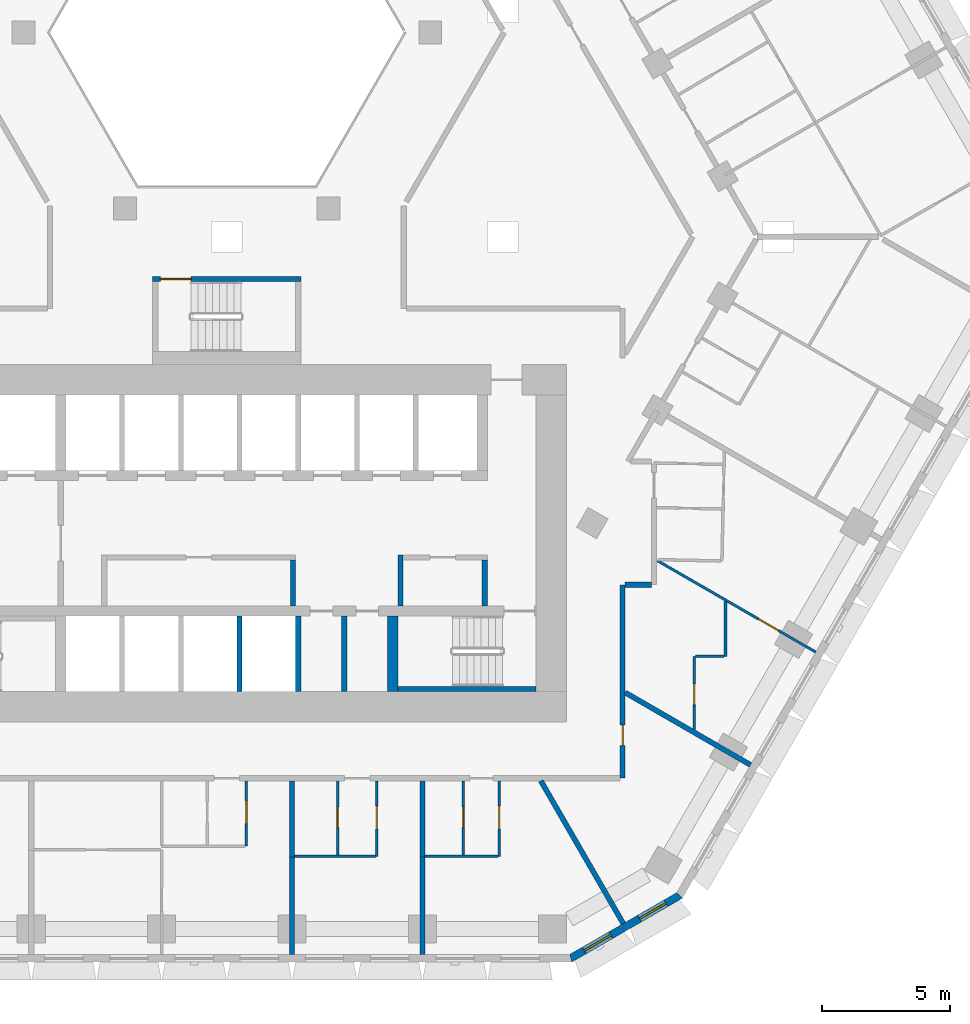
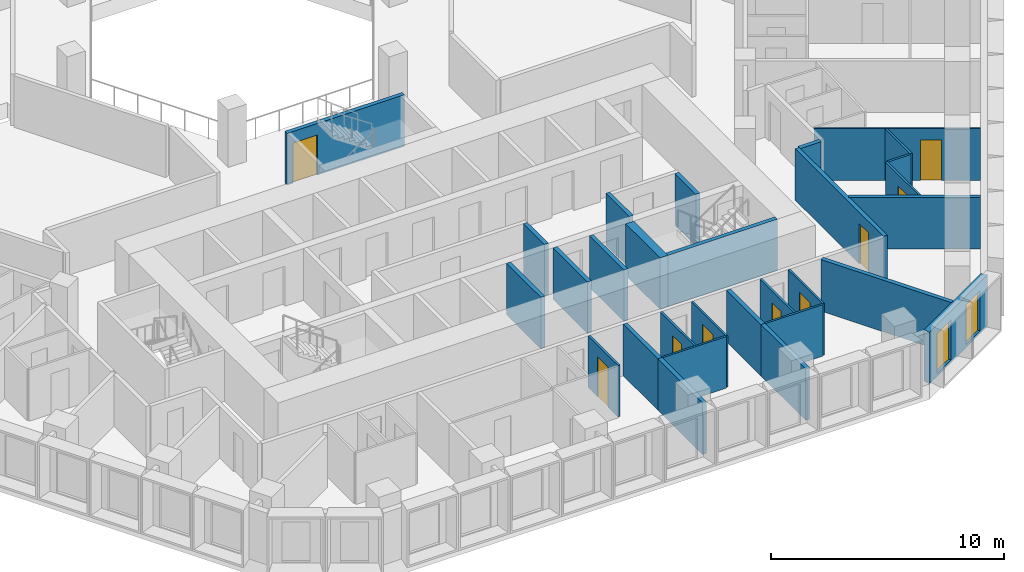
# One storey, part 6 of 21: 29 walls, 9 doors, 2 windows, 11 openings.
"""IFC4 building model written with IfcOpenShell, lengths in metres."""

from ifc_helpers import new_model, si_unit, direction, frame, frame_2d, origin, place, context, subcontext, project, spatial, polyline, rectangle, outline, extrude, material, layer, layer_set, type_object, element, fill, save


model = new_model("IFC4")

# Units and contexts
model_context = context("Model", 3, precision=1e-05, world=origin(), true_north=direction((0.0, 1.0)))
body_context = subcontext(model_context, "Body", "Model", "MODEL_VIEW")
ifc_project = project(units=[si_unit("LENGTHUNIT", "METRE"), si_unit("AREAUNIT", "SQUARE_METRE"), si_unit("VOLUMEUNIT", "CUBIC_METRE"), si_unit("PLANEANGLEUNIT", "RADIAN"), si_unit("MASSUNIT", "GRAM", prefix="KILO")], contexts=[model_context])

# Site, building, storey
site_placement = place(None, origin())
site = spatial("IfcSite", under=ifc_project, at=site_placement, CompositionType="ELEMENT")
building_placement = place(site_placement, origin())
building = spatial("IfcBuilding", under=site, at=building_placement, Name="Beryl Residences", CompositionType="ELEMENT")
storey_placement = place(building_placement, frame((0.0, 0.0, 23.39990234375)))
storey = spatial("IfcBuildingStorey", under=building, at=storey_placement, Name="L06", CompositionType="ELEMENT", Elevation=23.39990234375)

# Wall, openings, windows
ifc_material_1 = material(Name="Composite metal panel with mineral wool insulation")
ifc_layer_1 = layer(ifc_material_1, 0.300048828125)
ifc_layer_set_1 = layer_set([ifc_layer_1], Name="ES1 pale metal composite panel wall 300 mm")
wall_type_1 = type_object("IfcWallType", Name="ES1 pale metal composite panel wall 300 mm", PredefinedType="SOLIDWALL", material=ifc_layer_set_1)
wall_1_placement = place(storey_placement, frame((13.43505859375, -28.27001953125, 0.0), z_axis=(0.0, 0.0, 1.0), x_axis=(0.866010750942, 0.50002537861, 0.0)))
wall_1 = element("IfcWall", 1, at=wall_1_placement, inside=storey, type_object=wall_type_1, Name="ES1 external wall L06 S-SE", PredefinedType="SOLIDWALL", context=body_context, shape_type="SweptSolid", body=[
    extrude(outline(polyline([(0.0, -0.14990234375), (4.999755859375, -0.14990234375), (4.91943359375, 0.14990234375), (0.080322265625, 0.14990234375), (0.0, -0.14990234375)])), origin(), (0.0, 0.0, 1.0), 2.7001953125),
])
opening_1_placement = place(wall_1_placement, frame((0.64990234375, 0.0, 0.14990234375)))
opening_1 = element("IfcOpeningElement", 2, at=opening_1_placement, cuts=wall_1, Name="Opening W2", PredefinedType="OPENING", context=body_context, shape_type="SweptSolid", body=[
    extrude(rectangle(XDim=1.199951171875, YDim=2.10009765625, at=frame_2d((0.60009765625, 1.050048828125))), frame((0.0, 0.159912109375, 0.0), z_axis=(0.0, -1.0, 0.0), x_axis=(1.0, 0.0, 0.0)), (0.0, 0.0, 1.0), 0.320068359375),
])
opening_2_placement = place(wall_1_placement, frame((3.14892578125, 0.0, 0.14990234375)))
opening_2 = element("IfcOpeningElement", 3, at=opening_2_placement, cuts=wall_1, Name="Opening W2", PredefinedType="OPENING", context=body_context, shape_type="SweptSolid", body=[
    extrude(rectangle(XDim=1.199951171875, YDim=2.10009765625, at=frame_2d((0.60009765625, 1.050048828125))), frame((0.0, 0.159912109375, 0.0), z_axis=(0.0, -1.0, 0.0), x_axis=(1.0, 0.0, 0.0)), (0.0, 0.0, 1.0), 0.320068359375),
])
ifc_material_2 = material(Name="Aluminium and clear glass", Category="aluminium")
window_type = type_object("IfcWindowType", Name="W2 chamfer window 1200 x 2100 mm", PartitioningType="SINGLE_PANEL", PredefinedType="WINDOW", material=ifc_material_2)
window_1_placement = place(opening_1_placement, origin())
window_1 = element("IfcWindow", 4, at=window_1_placement, inside=storey, type_object=window_type, Name="W2 window L06 S-SE 1", OverallHeight=2.10009765625, OverallWidth=1.199951171875, PartitioningType="SINGLE_PANEL", PredefinedType="WINDOW", context=body_context, shape_type="SweptSolid", body=[
    extrude(rectangle(XDim=1.199951171875, YDim=2.10009765625, at=frame_2d((0.60009765625, 1.050048828125))), frame((0.0, 0.030029296875, 0.0), z_axis=(0.0, -1.0, 0.0), x_axis=(1.0, 0.0, 0.0)), (0.0, 0.0, 1.0), 0.06005859375),
])
fill(opening_1, window_1)
window_2_placement = place(opening_2_placement, origin())
window_2 = element("IfcWindow", 5, at=window_2_placement, inside=storey, type_object=window_type, Name="W2 window L06 S-SE 2", OverallHeight=2.10009765625, OverallWidth=1.199951171875, PartitioningType="SINGLE_PANEL", PredefinedType="WINDOW", context=body_context, shape_type="SweptSolid", body=[
    extrude(rectangle(XDim=1.199951171875, YDim=2.10009765625, at=frame_2d((0.60009765625, 1.050048828125))), frame((0.0, 0.030029296875, 0.0), z_axis=(0.0, -1.0, 0.0), x_axis=(1.0, 0.0, 0.0)), (0.0, 0.0, 1.0), 0.06005859375),
])
fill(opening_2, window_2)

# Wall, opening, door
ifc_material_3 = material(Name="Gypsum board partition on steel studs", Category="steel")
ifc_layer_2 = layer(ifc_material_3, 0.10009765625)
ifc_layer_set_2 = layer_set([ifc_layer_2], Name="PT1 partition 100 mm gypsum board on steel studs")
wall_type_2 = type_object("IfcWallType", Name="PT1 partition 100 mm gypsum board on steel studs", PredefinedType="PARTITIONING", material=ifc_layer_set_2)
wall_2_placement = place(storey_placement, frame((16.8701171875, -12.68603515625, 0.0), z_axis=(0.0, 0.0, 1.0), x_axis=(0.866071826058, -0.499919585642, 0.0)))
wall_2 = element("IfcWall", 6, at=wall_2_placement, inside=storey, type_object=wall_type_2, Name="Wall PT1 L06 016", PredefinedType="PARTITIONING", context=body_context, shape_type="SweptSolid", body=[
    extrude(rectangle(XDim=7.147216796875, YDim=0.10009765625, at=frame_2d((3.57373046875, 0.0))), origin(), (0.0, 0.0, 1.0), 2.7001953125),
])
opening_3_placement = place(wall_2_placement, frame((4.55810546875, 0.0, 0.0)))
opening_3 = element("IfcOpeningElement", 7, at=opening_3_placement, cuts=wall_2, Name="Opening D0120", PredefinedType="OPENING", context=body_context, shape_type="SweptSolid", body=[
    extrude(rectangle(XDim=0.89990234375, YDim=2.10009765625, at=frame_2d((0.449951171875, 1.050048828125))), frame((0.0, 0.06005859375, 0.0), z_axis=(0.0, -1.0, 0.0), x_axis=(1.0, 0.0, 0.0)), (0.0, 0.0, 1.0), 0.1201171875),
])
ifc_material_4 = material(Name="Timber door leaf", Category="wood")
door_type_1 = type_object("IfcDoorType", Name="D2 room door 900 x 2100 mm", OperationType="SINGLE_SWING_LEFT", PredefinedType="DOOR", material=ifc_material_4)
door_1_placement = place(opening_3_placement, origin())
door_1 = element("IfcDoor", 8, at=door_1_placement, inside=storey, type_object=door_type_1, Name="Door D0120 L06 001", OperationType="SINGLE_SWING_RIGHT", OverallHeight=2.10009765625, OverallWidth=0.89990234375, PredefinedType="DOOR", context=body_context, shape_type="SweptSolid", body=[
    extrude(rectangle(XDim=0.89990234375, YDim=2.10009765625, at=frame_2d((0.449951171875, 1.050048828125))), frame((0.0, 0.02490234375, 0.0), z_axis=(0.0, -1.0, 0.0), x_axis=(1.0, 0.0, 0.0)), (0.0, 0.0, 1.0), 0.050048828125),
])
fill(opening_3, door_1)

# Walls
wall_3_placement = place(storey_placement, frame((18.35009765625, -16.424072265625, 0.0), z_axis=(0.0, 0.0, 1.0), x_axis=(1.0, 0.0, 0.0)))
element("IfcWall", 9, at=wall_3_placement, inside=storey, type_object=wall_type_2, Name="Wall PT1 L06 026", PredefinedType="PARTITIONING", context=body_context, shape_type="SweptSolid", body=[
    extrude(rectangle(XDim=1.126953125, YDim=0.10009765625, at=frame_2d((0.5634765625, 0.0))), origin(), (0.0, 0.0, 1.0), 2.7001953125),
])
wall_4_placement = place(storey_placement, frame((2.653076171875, -24.260009765625, 0.0), z_axis=(0.0, 0.0, 1.0), x_axis=(1.0, 0.0, 0.0)))
element("IfcWall", 10, at=wall_4_placement, inside=storey, type_object=wall_type_2, Name="Wall PT1 L06 030", PredefinedType="PARTITIONING", context=body_context, shape_type="SweptSolid", body=[
    extrude(rectangle(XDim=3.1669921875, YDim=0.10009765625, at=frame_2d((1.58349609375, 0.0))), origin(), (0.0, 0.0, 1.0), 2.7001953125),
])
wall_5_placement = place(storey_placement, frame((7.757080078125, -24.260009765625, 0.0), z_axis=(0.0, 0.0, 1.0), x_axis=(1.0, 0.0, 0.0)))
element("IfcWall", 11, at=wall_5_placement, inside=storey, type_object=wall_type_2, Name="Wall PT1 L06 031", PredefinedType="PARTITIONING", context=body_context, shape_type="SweptSolid", body=[
    extrude(rectangle(XDim=2.85791015625, YDim=0.10009765625, at=frame_2d((1.428955078125, 0.0))), origin(), (0.0, 0.0, 1.0), 2.7001953125),
])

# Wall, opening, door
wall_6_placement = place(storey_placement, frame((4.339111328125, -24.2099609375, 0.0), z_axis=(0.0, 0.0, 1.0), x_axis=(0.0, 1.0, 0.0)))
wall_6 = element("IfcWall", 12, at=wall_6_placement, inside=storey, type_object=wall_type_2, Name="Wall PT1 L06 043", PredefinedType="PARTITIONING", context=body_context, shape_type="SweptSolid", body=[
    extrude(rectangle(XDim=2.909912109375, YDim=0.10009765625, at=frame_2d((1.455078125, 0.0))), origin(), (0.0, 0.0, 1.0), 2.7001953125),
])
opening_4_placement = place(wall_6_placement, frame((1.080078125, 0.0, 0.0)))
opening_4 = element("IfcOpeningElement", 13, at=opening_4_placement, cuts=wall_6, Name="Opening D0111", PredefinedType="OPENING", context=body_context, shape_type="SweptSolid", body=[
    extrude(rectangle(XDim=0.800048828125, YDim=2.10009765625, at=frame_2d((0.39990234375, 1.050048828125))), frame((0.0, 0.06005859375, 0.0), z_axis=(0.0, -1.0, 0.0), x_axis=(1.0, 0.0, 0.0)), (0.0, 0.0, 1.0), 0.1201171875),
])
ifc_material_5 = material(Name="Timber door leaf", Category="wood")
door_type_2 = type_object("IfcDoorType", Name="D3 bathroom door 800 x 2100 mm", OperationType="SINGLE_SWING_LEFT", PredefinedType="DOOR", material=ifc_material_5)
door_2_placement = place(opening_4_placement, origin())
door_2 = element("IfcDoor", 14, at=door_2_placement, inside=storey, type_object=door_type_2, Name="Door D0111 L06 001", OperationType="SINGLE_SWING_LEFT", OverallHeight=2.10009765625, OverallWidth=0.800048828125, PredefinedType="DOOR", context=body_context, shape_type="SweptSolid", body=[
    extrude(rectangle(XDim=0.800048828125, YDim=2.10009765625, at=frame_2d((0.39990234375, 1.050048828125))), frame((0.0, 0.02490234375, 0.0), z_axis=(0.0, -1.0, 0.0), x_axis=(1.0, 0.0, 0.0)), (0.0, 0.0, 1.0), 0.050048828125),
])
fill(opening_4, door_2)

wall_7_placement = place(storey_placement, frame((5.87109375, -24.259033203125, 0.0), z_axis=(0.0, 0.0, 1.0), x_axis=(0.0, 1.0, 0.0)))
wall_7 = element("IfcWall", 15, at=wall_7_placement, inside=storey, type_object=wall_type_2, Name="Wall PT1 L06 044", PredefinedType="PARTITIONING", context=body_context, shape_type="SweptSolid", body=[
    extrude(rectangle(XDim=2.958984375, YDim=0.10009765625, at=frame_2d((1.4794921875, 0.0))), origin(), (0.0, 0.0, 1.0), 2.7001953125),
])
opening_5_placement = place(wall_7_placement, frame((1.0791015625, 0.0, 0.0)))
opening_5 = element("IfcOpeningElement", 16, at=opening_5_placement, cuts=wall_7, Name="Opening D0110", PredefinedType="OPENING", context=body_context, shape_type="SweptSolid", body=[
    extrude(rectangle(XDim=0.89990234375, YDim=2.10009765625, at=frame_2d((0.449951171875, 1.050048828125))), frame((0.0, 0.06005859375, 0.0), z_axis=(0.0, -1.0, 0.0), x_axis=(1.0, 0.0, 0.0)), (0.0, 0.0, 1.0), 0.1201171875),
])
door_3_placement = place(opening_5_placement, origin())
door_3 = element("IfcDoor", 17, at=door_3_placement, inside=storey, type_object=door_type_1, Name="Door D0110 L06 001", OperationType="SINGLE_SWING_RIGHT", OverallHeight=2.10009765625, OverallWidth=0.89990234375, PredefinedType="DOOR", context=body_context, shape_type="SweptSolid", body=[
    extrude(rectangle(XDim=0.89990234375, YDim=2.10009765625, at=frame_2d((0.449951171875, 1.050048828125))), frame((0.0, 0.02490234375, 0.0), z_axis=(0.0, -1.0, 0.0), x_axis=(1.0, 0.0, 0.0)), (0.0, 0.0, 1.0), 0.050048828125),
])
fill(opening_5, door_3)

wall_8_placement = place(storey_placement, frame((0.76708984375, -23.85888671875, 0.0), z_axis=(0.0, 0.0, 1.0), x_axis=(0.0, 1.0, 0.0)))
wall_8 = element("IfcWall", 18, at=wall_8_placement, inside=storey, type_object=wall_type_2, Name="Wall PT1 L06 048", PredefinedType="PARTITIONING", context=body_context, shape_type="SweptSolid", body=[
    extrude(rectangle(XDim=2.558837890625, YDim=0.10009765625, at=frame_2d((1.279296875, 0.0))), origin(), (0.0, 0.0, 1.0), 2.7001953125),
])
opening_6_placement = place(wall_8_placement, frame((0.87890625, 0.0, 0.0)))
opening_6 = element("IfcOpeningElement", 19, at=opening_6_placement, cuts=wall_8, Name="Opening D0105", PredefinedType="OPENING", context=body_context, shape_type="SweptSolid", body=[
    extrude(rectangle(XDim=0.89990234375, YDim=2.10009765625, at=frame_2d((0.449951171875, 1.050048828125))), frame((0.0, 0.06005859375, 0.0), z_axis=(0.0, -1.0, 0.0), x_axis=(1.0, 0.0, 0.0)), (0.0, 0.0, 1.0), 0.1201171875),
])
door_4_placement = place(opening_6_placement, origin())
door_4 = element("IfcDoor", 20, at=door_4_placement, inside=storey, type_object=door_type_1, Name="Door D0105 L06 001", OperationType="SINGLE_SWING_LEFT", OverallHeight=2.10009765625, OverallWidth=0.89990234375, PredefinedType="DOOR", context=body_context, shape_type="SweptSolid", body=[
    extrude(rectangle(XDim=0.89990234375, YDim=2.10009765625, at=frame_2d((0.449951171875, 1.050048828125))), frame((0.0, 0.02490234375, 0.0), z_axis=(0.0, -1.0, 0.0), x_axis=(1.0, 0.0, 0.0)), (0.0, 0.0, 1.0), 0.050048828125),
])
fill(opening_6, door_4)

wall_9_placement = place(storey_placement, frame((9.26611328125, -24.2099609375, 0.0), z_axis=(0.0, 0.0, 1.0), x_axis=(0.0, 1.0, 0.0)))
wall_9 = element("IfcWall", 21, at=wall_9_placement, inside=storey, type_object=wall_type_2, Name="Wall PT1 L06 049", PredefinedType="PARTITIONING", context=body_context, shape_type="SweptSolid", body=[
    extrude(rectangle(XDim=2.909912109375, YDim=0.10009765625, at=frame_2d((1.455078125, 0.0))), origin(), (0.0, 0.0, 1.0), 2.7001953125),
])
opening_7_placement = place(wall_9_placement, frame((1.080078125, 0.0, 0.0)))
opening_7 = element("IfcOpeningElement", 22, at=opening_7_placement, cuts=wall_9, Name="Opening D0114", PredefinedType="OPENING", context=body_context, shape_type="SweptSolid", body=[
    extrude(rectangle(XDim=0.800048828125, YDim=2.10009765625, at=frame_2d((0.39990234375, 1.050048828125))), frame((0.0, 0.06005859375, 0.0), z_axis=(0.0, -1.0, 0.0), x_axis=(1.0, 0.0, 0.0)), (0.0, 0.0, 1.0), 0.1201171875),
])
door_5_placement = place(opening_7_placement, origin())
door_5 = element("IfcDoor", 23, at=door_5_placement, inside=storey, type_object=door_type_2, Name="Door D0114 L06 001", OperationType="SINGLE_SWING_RIGHT", OverallHeight=2.10009765625, OverallWidth=0.800048828125, PredefinedType="DOOR", context=body_context, shape_type="SweptSolid", body=[
    extrude(rectangle(XDim=0.800048828125, YDim=2.10009765625, at=frame_2d((0.39990234375, 1.050048828125))), frame((0.0, 0.02490234375, 0.0), z_axis=(0.0, -1.0, 0.0), x_axis=(1.0, 0.0, 0.0)), (0.0, 0.0, 1.0), 0.050048828125),
])
fill(opening_7, door_5)

wall_10_placement = place(storey_placement, frame((10.666015625, -24.259033203125, 0.0), z_axis=(0.0, 0.0, 1.0), x_axis=(0.0, 1.0, 0.0)))
wall_10 = element("IfcWall", 24, at=wall_10_placement, inside=storey, type_object=wall_type_2, Name="Wall PT1 L06 050", PredefinedType="PARTITIONING", context=body_context, shape_type="SweptSolid", body=[
    extrude(rectangle(XDim=2.958984375, YDim=0.10009765625, at=frame_2d((1.4794921875, 0.0))), origin(), (0.0, 0.0, 1.0), 2.7001953125),
])
opening_8_placement = place(wall_10_placement, frame((1.0791015625, 0.0, 0.0)))
opening_8 = element("IfcOpeningElement", 25, at=opening_8_placement, cuts=wall_10, Name="Opening D0113", PredefinedType="OPENING", context=body_context, shape_type="SweptSolid", body=[
    extrude(rectangle(XDim=0.89990234375, YDim=2.10009765625, at=frame_2d((0.449951171875, 1.050048828125))), frame((0.0, 0.06005859375, 0.0), z_axis=(0.0, -1.0, 0.0), x_axis=(1.0, 0.0, 0.0)), (0.0, 0.0, 1.0), 0.1201171875),
])
door_6_placement = place(opening_8_placement, origin())
door_6 = element("IfcDoor", 26, at=door_6_placement, inside=storey, type_object=door_type_1, Name="Door D0113 L06 001", OperationType="SINGLE_SWING_LEFT", OverallHeight=2.10009765625, OverallWidth=0.89990234375, PredefinedType="DOOR", context=body_context, shape_type="SweptSolid", body=[
    extrude(rectangle(XDim=0.89990234375, YDim=2.10009765625, at=frame_2d((0.449951171875, 1.050048828125))), frame((0.0, 0.02490234375, 0.0), z_axis=(0.0, -1.0, 0.0), x_axis=(1.0, 0.0, 0.0)), (0.0, 0.0, 1.0), 0.050048828125),
])
fill(opening_8, door_6)

wall_11_placement = place(storey_placement, frame((18.300048828125, -19.2890625, 0.0), z_axis=(0.0, 0.0, 1.0), x_axis=(0.0, 1.0, 0.0)))
wall_11 = element("IfcWall", 27, at=wall_11_placement, inside=storey, type_object=wall_type_2, Name="Wall PT1 L06 051", PredefinedType="PARTITIONING", context=body_context, shape_type="SweptSolid", body=[
    extrude(rectangle(XDim=2.864990234375, YDim=0.10009765625, at=frame_2d((1.4326171875, 0.0))), origin(), (0.0, 0.0, 1.0), 2.7001953125),
])
opening_9_placement = place(wall_11_placement, frame((0.97509765625, 0.0, 0.0)))
opening_9 = element("IfcOpeningElement", 28, at=opening_9_placement, cuts=wall_11, Name="Opening D0121", PredefinedType="OPENING", context=body_context, shape_type="SweptSolid", body=[
    extrude(rectangle(XDim=0.800048828125, YDim=2.10009765625, at=frame_2d((0.39990234375, 1.050048828125))), frame((0.0, 0.06005859375, 0.0), z_axis=(0.0, -1.0, 0.0), x_axis=(1.0, 0.0, 0.0)), (0.0, 0.0, 1.0), 0.1201171875),
])
door_7_placement = place(opening_9_placement, origin())
door_7 = element("IfcDoor", 29, at=door_7_placement, inside=storey, type_object=door_type_2, Name="Door D0121 L06 001", OperationType="SINGLE_SWING_LEFT", OverallHeight=2.10009765625, OverallWidth=0.800048828125, PredefinedType="DOOR", context=body_context, shape_type="SweptSolid", body=[
    extrude(rectangle(XDim=0.800048828125, YDim=2.10009765625, at=frame_2d((0.39990234375, 1.050048828125))), frame((0.0, 0.02490234375, 0.0), z_axis=(0.0, -1.0, 0.0), x_axis=(1.0, 0.0, 0.0)), (0.0, 0.0, 1.0), 0.050048828125),
])
fill(opening_9, door_7)

# Walls
wall_12_placement = place(storey_placement, frame((19.528076171875, -16.423095703125, 0.0), z_axis=(0.0, 0.0, 1.0), x_axis=(0.0, 1.0, 0.0)))
element("IfcWall", 30, at=wall_12_placement, inside=storey, type_object=wall_type_2, Name="Wall PT1 L06 052", PredefinedType="PARTITIONING", context=body_context, shape_type="SweptSolid", body=[
    extrude(rectangle(XDim=2.14599609375, YDim=0.10009765625, at=frame_2d((1.072998046875, 0.0))), origin(), (0.0, 0.0, 1.0), 2.7001953125),
])
ifc_material_6 = material(Name="Concrete masonry", Category="masonry")
ifc_layer_3 = layer(ifc_material_6, 0.199951171875)
ifc_layer_set_3 = layer_set([ifc_layer_3], Name="PT13 lobby wall 200 mm")
wall_type_3 = type_object("IfcWallType", Name="PT13 lobby wall 200 mm", PredefinedType="PARTITIONING", material=ifc_layer_set_3)
wall_13_placement = place(storey_placement, frame((2.60009765625, -14.449951171875, 0.0), z_axis=(0.0, 0.0, 1.0), x_axis=(0.0, 1.0, 0.0)))
element("IfcWall", 31, at=wall_13_placement, inside=storey, type_object=wall_type_3, Name="Lobby wall 15", PredefinedType="PARTITIONING", context=body_context, shape_type="SweptSolid", body=[
    extrude(rectangle(XDim=1.800048828125, YDim=0.199951171875, at=frame_2d((0.89990234375, 0.0))), origin(), (0.0, 0.0, 1.0), 2.7001953125),
])
wall_14_placement = place(storey_placement, frame((6.800048828125, -14.449951171875, 0.0), z_axis=(0.0, 0.0, 1.0), x_axis=(0.0, 1.0, 0.0)))
element("IfcWall", 32, at=wall_14_placement, inside=storey, type_object=wall_type_3, Name="Lobby wall 21", PredefinedType="PARTITIONING", context=body_context, shape_type="SweptSolid", body=[
    extrude(rectangle(XDim=2.0, YDim=0.199951171875, at=frame_2d((1.0, 0.0))), origin(), (0.0, 0.0, 1.0), 2.7001953125),
])
wall_15_placement = place(storey_placement, frame((10.10009765625, -14.449951171875, 0.0), z_axis=(0.0, 0.0, 1.0), x_axis=(0.0, 1.0, 0.0)))
element("IfcWall", 33, at=wall_15_placement, inside=storey, type_object=wall_type_3, Name="Lobby wall 24", PredefinedType="PARTITIONING", context=body_context, shape_type="SweptSolid", body=[
    extrude(rectangle(XDim=1.800048828125, YDim=0.199951171875, at=frame_2d((0.89990234375, 0.0))), origin(), (0.0, 0.0, 1.0), 2.7001953125),
])
ifc_material_7 = material(Name="Acoustic double stud gypsum board wall")
ifc_layer_4 = layer(ifc_material_7, 0.199951171875)
ifc_layer_set_4 = layer_set([ifc_layer_4], Name="PT3 party wall 200 mm acoustic double stud")
wall_type_4 = type_object("IfcWallType", Name="PT3 party wall 200 mm acoustic double stud", PredefinedType="PARTITIONING", material=ifc_layer_set_4)
wall_16_placement = place(storey_placement, frame((12.297119140625, -21.300048828125, 0.0), z_axis=(0.0, 0.0, 1.0), x_axis=(0.500056399578, -0.865992839024, 0.0)))
element("IfcWall", 34, at=wall_16_placement, inside=storey, type_object=wall_type_4, Name="Wall PT3 L06 002", PredefinedType="PARTITIONING", context=body_context, shape_type="SweptSolid", body=[
    extrude(rectangle(XDim=6.454833984375, YDim=0.199951171875, at=frame_2d((3.2275390625, 0.0))), origin(), (0.0, 0.0, 1.0), 2.7001953125),
])
for number, where, z_axis, x_axis, name in (
    (35, (7.656982421875, -21.300048828125, 0.0), (0.0, 0.0, 1.0), (0.0, -1.0, 0.0), "Wall PT3 L06 006"),
    (36, (2.552978515625, -21.300048828125, 0.0), (0.0, 0.0, 1.0), (0.0, -1.0, 0.0), "Wall PT3 L06 007"),
):
    element("IfcWall", number, at=place(storey_placement, frame(where, z_axis=z_axis, x_axis=x_axis)), inside=storey, type_object=wall_type_4, Name=name, PredefinedType="PARTITIONING", context=body_context, shape_type="SweptSolid", body=[
        extrude(rectangle(XDim=2.97998046875, YDim=0.199951171875, at=frame_2d((1.489990234375, 0.0))), origin(), (0.0, 0.0, 1.0), 2.7001953125),
    ])
wall_17_placement = place(storey_placement, frame((15.60009765625, -17.845947265625, 0.0), z_axis=(0.0, 0.0, 1.0), x_axis=(0.866071523686, -0.499920109479, 0.0)))
element("IfcWall", 37, at=wall_17_placement, inside=storey, type_object=wall_type_4, Name="Wall PT3 L06 008", PredefinedType="PARTITIONING", context=body_context, shape_type="SweptSolid", body=[
    extrude(rectangle(XDim=5.6669921875, YDim=0.199951171875, at=frame_2d((2.83349609375, 0.0))), origin(), (0.0, 0.0, 1.0), 2.7001953125),
])
for number, where, z_axis, x_axis, name in (
    (38, (7.656982421875, -28.10009765625, 0.0), (0.0, 0.0, 1.0), (0.0, 1.0, 0.0), "Wall PT3 L06 016"),
    (39, (2.552978515625, -28.10009765625, 0.0), (0.0, 0.0, 1.0), (0.0, 1.0, 0.0), "Wall PT3 L06 017"),
):
    element("IfcWall", number, at=place(storey_placement, frame(where, z_axis=z_axis, x_axis=x_axis)), inside=storey, type_object=wall_type_4, Name=name, PredefinedType="PARTITIONING", context=body_context, shape_type="SweptSolid", body=[
        extrude(rectangle(XDim=3.860107421875, YDim=0.199951171875, at=frame_2d((1.93017578125, 0.0))), origin(), (0.0, 0.0, 1.0), 2.7001953125),
    ])
ifc_material_8 = material(Name="Double stud gypsum board wall")
ifc_layer_5 = layer(ifc_material_8, 0.199951171875)
ifc_layer_set_5 = layer_set([ifc_layer_5], Name="PT4 corridor wall 200 mm double stud")
wall_type_5 = type_object("IfcWallType", Name="PT4 corridor wall 200 mm double stud", PredefinedType="PARTITIONING", material=ifc_layer_set_5)
wall_18_placement = place(storey_placement, frame((15.60009765625, -13.6240234375, 0.0), z_axis=(0.0, 0.0, 1.0), x_axis=(1.0, 0.0, 0.0)))
element("IfcWall", 40, at=wall_18_placement, inside=storey, type_object=wall_type_5, Name="Wall PT4 L06 010", PredefinedType="PARTITIONING", context=body_context, shape_type="SweptSolid", body=[
    extrude(rectangle(XDim=1.02685546875, YDim=0.199951171875, at=frame_2d((0.513427734375, 0.0))), origin(), (0.0, 0.0, 1.0), 2.7001953125),
])

# Wall, opening, door
wall_19_placement = place(storey_placement, frame((15.5, -21.198974609375, 0.0), z_axis=(0.0, 0.0, 1.0), x_axis=(0.0, 1.0, 0.0)))
wall_19 = element("IfcWall", 41, at=wall_19_placement, inside=storey, type_object=wall_type_5, Name="Wall PT4 L06 026", PredefinedType="PARTITIONING", context=body_context, shape_type="SweptSolid", body=[
    extrude(rectangle(XDim=7.574951171875, YDim=0.199951171875, at=frame_2d((3.78759765625, 0.0))), origin(), (0.0, 0.0, 1.0), 2.7001953125),
])
opening_10_placement = place(wall_19_placement, frame((1.2880859375, 0.0, 0.0)))
opening_10 = element("IfcOpeningElement", 42, at=opening_10_placement, cuts=wall_19, Name="Opening D0115", PredefinedType="OPENING", context=body_context, shape_type="SweptSolid", body=[
    extrude(rectangle(XDim=0.800048828125, YDim=2.10009765625, at=frame_2d((0.39990234375, 1.050048828125))), frame((0.0, 0.10986328125, 0.0), z_axis=(0.0, -1.0, 0.0), x_axis=(1.0, 0.0, 0.0)), (0.0, 0.0, 1.0), 0.219970703125),
])
door_8_placement = place(opening_10_placement, origin())
door_8 = element("IfcDoor", 43, at=door_8_placement, inside=storey, type_object=door_type_2, Name="Door D0115 L06 001", OperationType="SINGLE_SWING_LEFT", OverallHeight=2.10009765625, OverallWidth=0.800048828125, PredefinedType="DOOR", context=body_context, shape_type="SweptSolid", body=[
    extrude(rectangle(XDim=0.800048828125, YDim=2.10009765625, at=frame_2d((0.39990234375, 1.050048828125))), frame((0.0, 0.02490234375, 0.0), z_axis=(0.0, -1.0, 0.0), x_axis=(1.0, 0.0, 0.0)), (0.0, 0.0, 1.0), 0.050048828125),
])
fill(opening_10, door_8)

ifc_material_9 = material(Name="Concrete C40/50", Category="concrete")
ifc_layer_6 = layer(ifc_material_9, 0.199951171875)
ifc_layer_set_6 = layer_set([ifc_layer_6], Name="PT5 stair enclosure wall 200 mm reinforced concrete C40/50")
wall_type_6 = type_object("IfcWallType", Name="PT5 stair enclosure wall 200 mm reinforced concrete C40/50", PredefinedType="SOLIDWALL", material=ifc_layer_set_6)
wall_20_placement = place(storey_placement, frame((-2.89990234375, -1.64990234375, 0.0), z_axis=(0.0, 0.0, 1.0), x_axis=(1.0, 0.0, 0.0)))
wall_20 = element("IfcWall", 44, at=wall_20_placement, inside=storey, type_object=wall_type_6, Name="Wall PT5 L06 001", PredefinedType="SOLIDWALL", context=body_context, shape_type="SweptSolid", body=[
    extrude(rectangle(XDim=5.7998046875, YDim=0.199951171875, at=frame_2d((2.89990234375, 0.0))), origin(), (0.0, 0.0, 1.0), 2.7001953125),
])
opening_11_placement = place(wall_20_placement, frame((0.300048828125, 0.0, 0.0)))
opening_11 = element("IfcOpeningElement", 45, at=opening_11_placement, cuts=wall_20, Name="Opening DS04", PredefinedType="OPENING", context=body_context, shape_type="SweptSolid", body=[
    extrude(rectangle(XDim=1.199951171875, YDim=2.10009765625, at=frame_2d((0.60009765625, 1.050048828125))), frame((0.0, 0.10986328125, 0.0), z_axis=(0.0, -1.0, 0.0), x_axis=(1.0, 0.0, 0.0)), (0.0, 0.0, 1.0), 0.219970703125),
])
ifc_material_10 = material(Name="Steel door leaf in steel frame", Category="steel")
door_type_3 = type_object("IfcDoorType", Name="D4 stair door 1200 x 2100 mm", OperationType="SINGLE_SWING_LEFT", PredefinedType="DOOR", material=ifc_material_10)
door_9_placement = place(opening_11_placement, origin())
door_9 = element("IfcDoor", 46, at=door_9_placement, inside=storey, type_object=door_type_3, Name="Door DS04 L06 001", OperationType="SINGLE_SWING_LEFT", OverallHeight=2.10009765625, OverallWidth=1.199951171875, PredefinedType="DOOR", context=body_context, shape_type="SweptSolid", body=[
    extrude(rectangle(XDim=1.199951171875, YDim=2.10009765625, at=frame_2d((0.60009765625, 1.050048828125))), frame((0.0, 0.02490234375, 0.0), z_axis=(0.0, -1.0, 0.0), x_axis=(1.0, 0.0, 0.0)), (0.0, 0.0, 1.0), 0.050048828125),
])
fill(opening_11, door_9)

# Walls
wall_21_placement = place(storey_placement, frame((6.699951171875, -17.699951171875, 0.0), z_axis=(0.0, 0.0, 1.0), x_axis=(1.0, 0.0, 0.0)))
element("IfcWall", 47, at=wall_21_placement, inside=storey, type_object=wall_type_6, Name="Stair wall 20", PredefinedType="SOLIDWALL", context=body_context, shape_type="SweptSolid", body=[
    extrude(rectangle(XDim=5.400146484375, YDim=0.199951171875, at=frame_2d((2.7001953125, 0.0))), origin(), (0.0, 0.0, 1.0), 2.7001953125),
])
ifc_material_11 = material(Name="Concrete C40/50", Category="concrete")
ifc_layer_7 = layer(ifc_material_11, 0.199951171875)
ifc_layer_set_7 = layer_set([ifc_layer_7], Name="PT6 lift shaft wall 200 mm reinforced concrete C40/50")
wall_type_7 = type_object("IfcWallType", Name="PT6 lift shaft wall 200 mm reinforced concrete C40/50", PredefinedType="SOLIDWALL", material=ifc_layer_set_7)
for number, where, z_axis, x_axis, name in (
    (48, (0.5, -17.800048828125, 0.0), (0.0, 0.0, 1.0), (0.0, 1.0, 0.0), "Lift shaft wall 13"),
    (49, (2.800048828125, -17.800048828125, 0.0), (0.0, 0.0, 1.0), (0.0, 1.0, 0.0), "Lift shaft wall 16"),
):
    element("IfcWall", number, at=place(storey_placement, frame(where, z_axis=z_axis, x_axis=x_axis)), inside=storey, type_object=wall_type_7, Name=name, PredefinedType="SOLIDWALL", context=body_context, shape_type="SweptSolid", body=[
        extrude(rectangle(XDim=2.949951171875, YDim=0.199951171875, at=frame_2d((1.47509765625, 0.0))), origin(), (0.0, 0.0, 1.0), 2.7001953125),
    ])
ifc_material_12 = material(Name="Concrete masonry", Category="masonry")
ifc_layer_8 = layer(ifc_material_12, 0.199951171875)
ifc_layer_set_8 = layer_set([ifc_layer_8], Name="PT8-200 service room wall 200 mm")
wall_type_8 = type_object("IfcWallType", Name="PT8-200 service room wall 200 mm", PredefinedType="PARTITIONING", material=ifc_layer_set_8)
wall_22_placement = place(storey_placement, frame((4.60009765625, -17.800048828125, 0.0), z_axis=(0.0, 0.0, 1.0), x_axis=(0.0, 1.0, 0.0)))
element("IfcWall", 50, at=wall_22_placement, inside=storey, type_object=wall_type_8, Name="Core room wall 18", PredefinedType="PARTITIONING", context=body_context, shape_type="SweptSolid", body=[
    extrude(rectangle(XDim=2.949951171875, YDim=0.199951171875, at=frame_2d((1.47509765625, 0.0))), origin(), (0.0, 0.0, 1.0), 2.7001953125),
])
ifc_material_13 = material(Name="Concrete C80/95", Category="concrete")
ifc_layer_9 = layer(ifc_material_13, 0.39990234375)
ifc_layer_set_9 = layer_set([ifc_layer_9], Name="SW6 core internal wall 400 mm C80/95")
wall_type_9 = type_object("IfcWallType", Name="SW6 core internal wall 400 mm C80/95", PredefinedType="SHEAR", material=ifc_layer_set_9)
wall_23_placement = place(storey_placement, frame((6.5, -17.800048828125, 0.0), z_axis=(0.0, 0.0, 1.0), x_axis=(0.0, 1.0, 0.0)))
element("IfcWall", 51, at=wall_23_placement, inside=storey, type_object=wall_type_9, Name="Core wall XS2 L06", PredefinedType="SHEAR", context=body_context, shape_type="SweptSolid", body=[
    extrude(rectangle(XDim=2.949951171875, YDim=0.39990234375, at=frame_2d((1.47509765625, 0.0))), origin(), (0.0, 0.0, 1.0), 2.7001953125),
])

save(model, "model.ifc")
